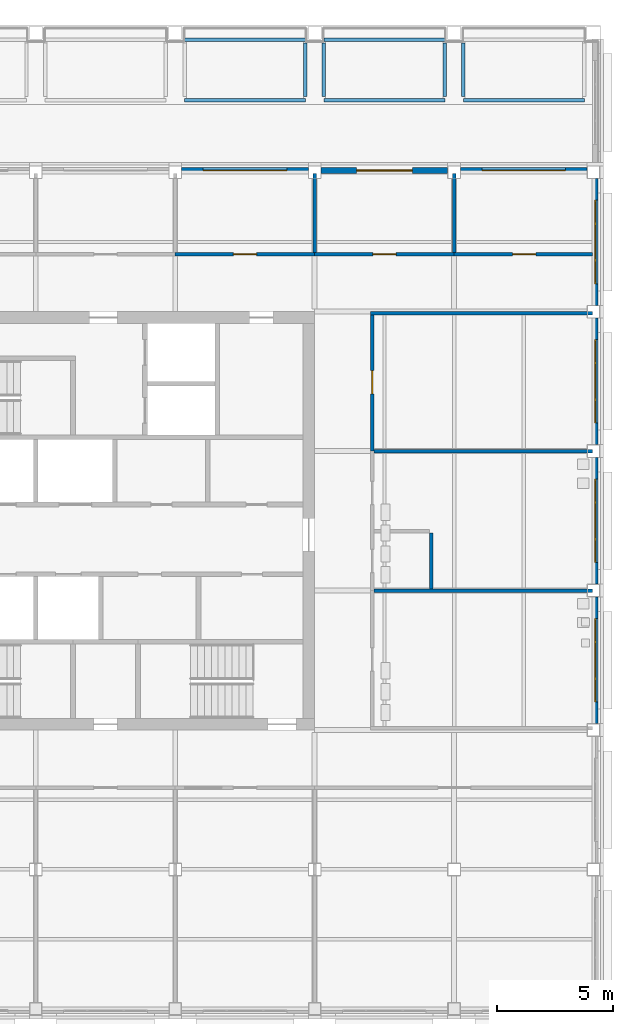
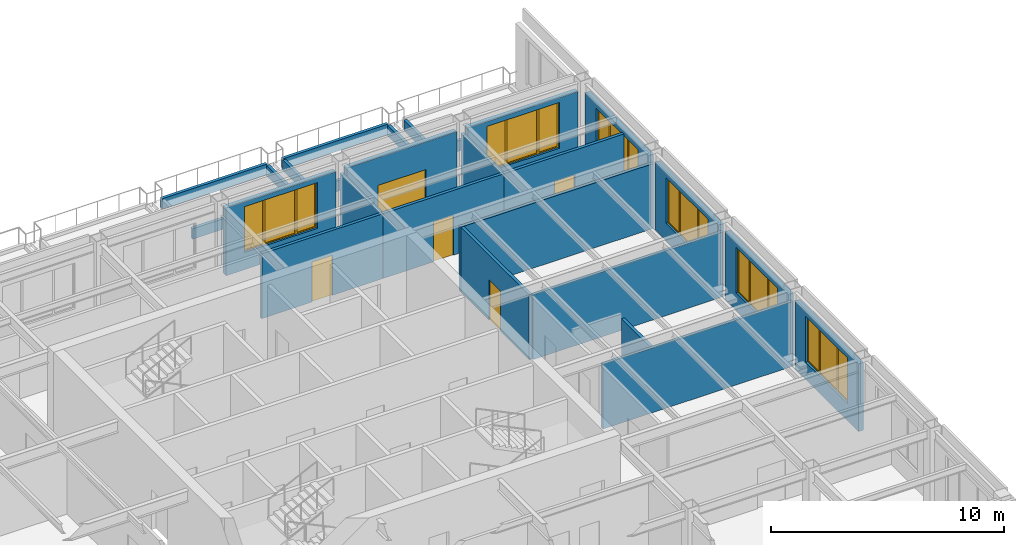
# One storey, part 27 of 39: 26 walls, 6 windows, 5 doors, 11 openings.
"""IFC4 building model written with IfcOpenShell, lengths in metres."""

from ifc_helpers import new_model, si_unit, direction, frame, frame_2d, origin, place, context, subcontext, project, spatial, polyline, rectangle, outline, extrude, material, layer, layer_set, type_object, element, fill, save


model = new_model("IFC4")

# Units and contexts
model_context = context("Model", 3, precision=1e-05, world=origin(), true_north=direction((0.0, 1.0)))
body_context = subcontext(model_context, "Body", "Model", "MODEL_VIEW")
ifc_project = project(units=[si_unit("LENGTHUNIT", "METRE"), si_unit("AREAUNIT", "SQUARE_METRE"), si_unit("VOLUMEUNIT", "CUBIC_METRE"), si_unit("PLANEANGLEUNIT", "RADIAN"), si_unit("MASSUNIT", "GRAM", prefix="KILO")], contexts=[model_context])

# Site, building, storey
site_placement = place(None, origin())
site = spatial("IfcSite", under=ifc_project, at=site_placement, CompositionType="ELEMENT")
building_placement = place(site_placement, origin())
building = spatial("IfcBuilding", under=site, at=building_placement, Name="Aravalli Gate Trade Fair Centre", CompositionType="ELEMENT")
storey_placement = place(building_placement, frame((0.0, 0.0, 15.0)))
storey = spatial("IfcBuildingStorey", under=building, at=storey_placement, Name="L03", CompositionType="ELEMENT", Elevation=15.0)

# Wall, opening, door
ifc_material_1 = material(Name="Blockwork with fire-rated lining", Category="masonry")
ifc_layer_1 = layer(ifc_material_1, 0.14990234375)
ifc_layer_set_1 = layer_set([ifc_layer_1], Name="Blockwork with fire-rated lining")
wall_type_1 = type_object("IfcWallType", Name="Wing partition 150 (EI 60, corridor wall)", PredefinedType="PARTITIONING", material=ifc_layer_set_1)
wall_1_placement = place(storey_placement, frame((184.0, 123.47509765625, 0.0), z_axis=(0.0, 0.0, 1.0), x_axis=(1.0, 0.0, 0.0)))
wall_1 = element("IfcWall", 1, at=wall_1_placement, inside=storey, type_object=wall_type_1, Name="Partition NW5 L03", PredefinedType="PARTITIONING", context=body_context, shape_type="SweptSolid", body=[
    extrude(rectangle(XDim=6.0, YDim=0.14990234375, at=frame_2d((3.0, 0.0))), origin(), (0.0, 0.0, 1.0), 3.39990234375),
])
opening_1_placement = place(wall_1_placement, frame((2.5, 0.0, 0.0)))
opening_1 = element("IfcOpeningElement", 2, at=opening_1_placement, cuts=wall_1, Name="Opening T-L03-150", PredefinedType="OPENING", context=body_context, shape_type="SweptSolid", body=[
    extrude(rectangle(XDim=1.0, YDim=2.10009765625, at=frame_2d((0.5, 1.050048828125))), frame((0.0, 0.0849609375, 0.0), z_axis=(0.0, -1.0, 0.0), x_axis=(1.0, 0.0, 0.0)), (0.0, 0.0, 1.0), 0.169921875),
])
ifc_material_2 = material(Name="Steel, fire rated", Category="steel")
door_type_1 = type_object("IfcDoorType", Name="Wing fire door FD60 1000 x 2100", OperationType="SINGLE_SWING_LEFT", PredefinedType="DOOR", material=ifc_material_2)
door_1_placement = place(opening_1_placement, origin())
door_1 = element("IfcDoor", 3, at=door_1_placement, inside=storey, type_object=door_type_1, Name="Door T-L03-150", OperationType="SINGLE_SWING_RIGHT", OverallHeight=2.10009765625, OverallWidth=1.0, PredefinedType="DOOR", context=body_context, shape_type="SweptSolid", body=[
    extrude(rectangle(XDim=1.0, YDim=2.10009765625, at=frame_2d((0.5, 1.050048828125))), frame((0.0, 0.02490234375, 0.0), z_axis=(0.0, -1.0, 0.0), x_axis=(1.0, 0.0, 0.0)), (0.0, 0.0, 1.0), 0.050048828125),
])
fill(opening_1, door_1)

# Wall
wall_2_placement = place(storey_placement, frame((190.0, 123.550048828125, 0.0), z_axis=(0.0, 0.0, 1.0), x_axis=(0.0, 1.0, 0.0)))
element("IfcWall", 4, at=wall_2_placement, inside=storey, type_object=wall_type_1, Name="Partition NP5 L03", PredefinedType="PARTITIONING", context=body_context, shape_type="SweptSolid", body=[
    extrude(rectangle(XDim=3.39990234375, YDim=0.14990234375, at=frame_2d((1.699951171875, 0.0))), origin(), (0.0, 0.0, 1.0), 3.39990234375),
])

# Wall, opening, door
wall_3_placement = place(storey_placement, frame((190.0, 123.47509765625, 0.0), z_axis=(0.0, 0.0, 1.0), x_axis=(1.0, 0.0, 0.0)))
wall_3 = element("IfcWall", 5, at=wall_3_placement, inside=storey, type_object=wall_type_1, Name="Partition NW6 L03", PredefinedType="PARTITIONING", context=body_context, shape_type="SweptSolid", body=[
    extrude(rectangle(XDim=6.0, YDim=0.14990234375, at=frame_2d((3.0, 0.0))), origin(), (0.0, 0.0, 1.0), 3.39990234375),
])
opening_2_placement = place(wall_3_placement, frame((2.5, 0.0, 0.0)))
opening_2 = element("IfcOpeningElement", 6, at=opening_2_placement, cuts=wall_3, Name="Opening T-L03-151", PredefinedType="OPENING", context=body_context, shape_type="SweptSolid", body=[
    extrude(rectangle(XDim=1.0, YDim=2.10009765625, at=frame_2d((0.5, 1.050048828125))), frame((0.0, 0.0849609375, 0.0), z_axis=(0.0, -1.0, 0.0), x_axis=(1.0, 0.0, 0.0)), (0.0, 0.0, 1.0), 0.169921875),
])
door_2_placement = place(opening_2_placement, origin())
door_2 = element("IfcDoor", 7, at=door_2_placement, inside=storey, type_object=door_type_1, Name="Door T-L03-151", OperationType="SINGLE_SWING_LEFT", OverallHeight=2.10009765625, OverallWidth=1.0, PredefinedType="DOOR", context=body_context, shape_type="SweptSolid", body=[
    extrude(rectangle(XDim=1.0, YDim=2.10009765625, at=frame_2d((0.5, 1.050048828125))), frame((0.0, 0.02490234375, 0.0), z_axis=(0.0, -1.0, 0.0), x_axis=(1.0, 0.0, 0.0)), (0.0, 0.0, 1.0), 0.050048828125),
])
fill(opening_2, door_2)

# Wall
wall_4_placement = place(storey_placement, frame((196.0, 123.550048828125, 0.0), z_axis=(0.0, 0.0, 1.0), x_axis=(0.0, 1.0, 0.0)))
element("IfcWall", 8, at=wall_4_placement, inside=storey, type_object=wall_type_1, Name="Partition NP6 L03", PredefinedType="PARTITIONING", context=body_context, shape_type="SweptSolid", body=[
    extrude(rectangle(XDim=3.39990234375, YDim=0.14990234375, at=frame_2d((1.699951171875, 0.0))), origin(), (0.0, 0.0, 1.0), 3.39990234375),
])

# Wall, opening, door
wall_5_placement = place(storey_placement, frame((196.0, 123.47509765625, 0.0), z_axis=(0.0, 0.0, 1.0), x_axis=(1.0, 0.0, 0.0)))
wall_5 = element("IfcWall", 9, at=wall_5_placement, inside=storey, type_object=wall_type_1, Name="Partition NW7 L03", PredefinedType="PARTITIONING", context=body_context, shape_type="SweptSolid", body=[
    extrude(rectangle(XDim=5.949951171875, YDim=0.14990234375, at=frame_2d((2.97509765625, 0.0))), origin(), (0.0, 0.0, 1.0), 3.39990234375),
])
opening_3_placement = place(wall_5_placement, frame((2.512451171875, 0.0, 0.0)))
opening_3 = element("IfcOpeningElement", 10, at=opening_3_placement, cuts=wall_5, Name="Opening T-L03-152", PredefinedType="OPENING", context=body_context, shape_type="SweptSolid", body=[
    extrude(rectangle(XDim=1.0, YDim=2.10009765625, at=frame_2d((0.5, 1.050048828125))), frame((0.0, 0.0849609375, 0.0), z_axis=(0.0, -1.0, 0.0), x_axis=(1.0, 0.0, 0.0)), (0.0, 0.0, 1.0), 0.169921875),
])
door_3_placement = place(opening_3_placement, origin())
door_3 = element("IfcDoor", 11, at=door_3_placement, inside=storey, type_object=door_type_1, Name="Door T-L03-152", OperationType="SINGLE_SWING_RIGHT", OverallHeight=2.10009765625, OverallWidth=1.0, PredefinedType="DOOR", context=body_context, shape_type="SweptSolid", body=[
    extrude(rectangle(XDim=1.0, YDim=2.10009765625, at=frame_2d((0.5, 1.050048828125))), frame((0.0, 0.02490234375, 0.0), z_axis=(0.0, -1.0, 0.0), x_axis=(1.0, 0.0, 0.0)), (0.0, 0.0, 1.0), 0.050048828125),
])
fill(opening_3, door_3)

# Walls
for number, where, z_axis, x_axis, name in (
    (12, (192.550048828125, 109.0, 0.0), (0.0, 0.0, 1.0), (1.0, 0.0, 0.0), "Partition EP1 L03"),
    (13, (192.550048828125, 115.0, 0.0), (0.0, 0.0, 1.0), (1.0, 0.0, 0.0), "Partition EP2 L03"),
):
    element("IfcWall", number, at=place(storey_placement, frame(where, z_axis=z_axis, x_axis=x_axis)), inside=storey, type_object=wall_type_1, Name=name, PredefinedType="PARTITIONING", context=body_context, shape_type="SweptSolid", body=[
        extrude(rectangle(XDim=9.39990234375, YDim=0.14990234375, at=frame_2d((4.699951171875, 0.0))), origin(), (0.0, 0.0, 1.0), 3.39990234375),
    ])
wall_6_placement = place(storey_placement, frame((195.02490234375, 109.074951171875, 0.0), z_axis=(0.0, 0.0, 1.0), x_axis=(0.0, 1.0, 0.0)))
element("IfcWall", 14, at=wall_6_placement, inside=storey, type_object=wall_type_1, Name="Partition EA2x L03", PredefinedType="PARTITIONING", context=body_context, shape_type="SweptSolid", body=[
    extrude(rectangle(XDim=2.400146484375, YDim=0.14990234375, at=frame_2d((1.2001953125, 0.0))), origin(), (0.0, 0.0, 1.0), 3.39990234375),
])

# Wall, opening, door
wall_7_placement = place(storey_placement, frame((192.47509765625, 115.0, 0.0), z_axis=(0.0, 0.0, 1.0), x_axis=(0.0, 1.0, 0.0)))
wall_7 = element("IfcWall", 15, at=wall_7_placement, inside=storey, type_object=wall_type_1, Name="Partition EW3 L03", PredefinedType="PARTITIONING", context=body_context, shape_type="SweptSolid", body=[
    extrude(rectangle(XDim=5.85009765625, YDim=0.14990234375, at=frame_2d((2.925048828125, 0.0))), origin(), (0.0, 0.0, 1.0), 3.39990234375),
])
opening_4_placement = place(wall_7_placement, frame((2.46240234375, 0.0, 0.0)))
opening_4 = element("IfcOpeningElement", 16, at=opening_4_placement, cuts=wall_7, Name="Opening T-L03-158", PredefinedType="OPENING", context=body_context, shape_type="SweptSolid", body=[
    extrude(rectangle(XDim=1.0, YDim=2.10009765625, at=frame_2d((0.5, 1.050048828125))), frame((0.0, 0.0849609375, 0.0), z_axis=(0.0, -1.0, 0.0), x_axis=(1.0, 0.0, 0.0)), (0.0, 0.0, 1.0), 0.169921875),
])
door_4_placement = place(opening_4_placement, frame((1.0, 0.0, 0.0), z_axis=(0.0, 0.0, 1.0), x_axis=(-1.0, 0.0, 0.0)))
door_4 = element("IfcDoor", 17, at=door_4_placement, inside=storey, type_object=door_type_1, Name="Door T-L03-158", OperationType="SINGLE_SWING_LEFT", OverallHeight=2.10009765625, OverallWidth=1.0, PredefinedType="DOOR", context=body_context, shape_type="SweptSolid", body=[
    extrude(rectangle(XDim=1.0, YDim=2.10009765625, at=frame_2d((0.5, 1.050048828125))), frame((0.0, 0.02490234375, 0.0), z_axis=(0.0, -1.0, 0.0), x_axis=(1.0, 0.0, 0.0)), (0.0, 0.0, 1.0), 0.050048828125),
])
fill(opening_4, door_4)

# Walls
wall_8_placement = place(storey_placement, frame((192.39990234375, 120.925048828125, 0.0), z_axis=(0.0, 0.0, 1.0), x_axis=(1.0, 0.0, 0.0)))
element("IfcWall", 18, at=wall_8_placement, inside=storey, type_object=wall_type_1, Name="Partition CL-NE L03", PredefinedType="PARTITIONING", context=body_context, shape_type="SweptSolid", body=[
    extrude(rectangle(XDim=9.550048828125, YDim=0.14990234375, at=frame_2d((4.77490234375, 0.0))), origin(), (0.0, 0.0, 1.0), 3.39990234375),
])
ifc_material_3 = material(Name="Concrete M30", Category="concrete")
ifc_layer_2 = layer(ifc_material_3, 0.14990234375)
ifc_layer_set_2 = layer_set([ifc_layer_2], Name="Concrete M30")
wall_type_2 = type_object("IfcWallType", Name="Wing planter wall 150", PredefinedType="SOLIDWALL", material=ifc_layer_set_2)
for number, where, z_axis, x_axis, name in (
    (19, (184.39990234375, 130.10498046875, 0.0), (0.0, 0.0, 1.0), (1.0, 0.0, 0.0), "Planter wall L03 5S"),
    (20, (184.39990234375, 132.705078125, 0.0), (0.0, 0.0, 1.0), (1.0, 0.0, 0.0), "Planter wall L03 5N"),
):
    element("IfcWall", number, at=place(storey_placement, frame(where, z_axis=z_axis, x_axis=x_axis)), inside=storey, type_object=wall_type_2, Name=name, PredefinedType="SOLIDWALL", context=body_context, shape_type="SweptSolid", body=[
        extrude(rectangle(XDim=5.2001953125, YDim=0.14990234375, at=frame_2d((2.60009765625, 0.0))), origin(), (0.0, 0.0, 1.0), 0.550048828125),
    ])
wall_9_placement = place(storey_placement, frame((189.60009765625, 130.2548828125, 0.0), z_axis=(0.0, 0.0, 1.0), x_axis=(0.0, 1.0, 0.0)))
element("IfcWall", 21, at=wall_9_placement, inside=storey, type_object=wall_type_2, Name="Planter wall L03 5E", PredefinedType="SOLIDWALL", context=body_context, shape_type="SweptSolid", body=[
    extrude(rectangle(XDim=2.300048828125, YDim=0.14990234375, at=frame_2d((1.14990234375, 0.0))), origin(), (0.0, 0.0, 1.0), 0.550048828125),
])
for number, where, z_axis, x_axis, name in (
    (22, (190.39990234375, 130.10498046875, 0.0), (0.0, 0.0, 1.0), (1.0, 0.0, 0.0), "Planter wall L03 6S"),
    (23, (190.39990234375, 132.705078125, 0.0), (0.0, 0.0, 1.0), (1.0, 0.0, 0.0), "Planter wall L03 6N"),
):
    element("IfcWall", number, at=place(storey_placement, frame(where, z_axis=z_axis, x_axis=x_axis)), inside=storey, type_object=wall_type_2, Name=name, PredefinedType="SOLIDWALL", context=body_context, shape_type="SweptSolid", body=[
        extrude(rectangle(XDim=5.2001953125, YDim=0.14990234375, at=frame_2d((2.60009765625, 0.0))), origin(), (0.0, 0.0, 1.0), 0.550048828125),
    ])
for number, where, z_axis, x_axis, name in (
    (24, (190.39990234375, 130.2548828125, 0.0), (0.0, 0.0, 1.0), (0.0, 1.0, 0.0), "Planter wall L03 6W"),
    (25, (195.60009765625, 130.2548828125, 0.0), (0.0, 0.0, 1.0), (0.0, 1.0, 0.0), "Planter wall L03 6E"),
):
    element("IfcWall", number, at=place(storey_placement, frame(where, z_axis=z_axis, x_axis=x_axis)), inside=storey, type_object=wall_type_2, Name=name, PredefinedType="SOLIDWALL", context=body_context, shape_type="SweptSolid", body=[
        extrude(rectangle(XDim=2.300048828125, YDim=0.14990234375, at=frame_2d((1.14990234375, 0.0))), origin(), (0.0, 0.0, 1.0), 0.550048828125),
    ])
wall_10_placement = place(storey_placement, frame((196.39990234375, 130.10498046875, 0.0), z_axis=(0.0, 0.0, 1.0), x_axis=(1.0, 0.0, 0.0)))
element("IfcWall", 26, at=wall_10_placement, inside=storey, type_object=wall_type_2, Name="Planter wall L03 7S", PredefinedType="SOLIDWALL", context=body_context, shape_type="SweptSolid", body=[
    extrude(rectangle(XDim=5.2001953125, YDim=0.14990234375, at=frame_2d((2.60009765625, 0.0))), origin(), (0.0, 0.0, 1.0), 0.550048828125),
])
wall_11_placement = place(storey_placement, frame((196.39990234375, 130.2548828125, 0.0), z_axis=(0.0, 0.0, 1.0), x_axis=(0.0, 1.0, 0.0)))
element("IfcWall", 27, at=wall_11_placement, inside=storey, type_object=wall_type_2, Name="Planter wall L03 7W", PredefinedType="SOLIDWALL", context=body_context, shape_type="SweptSolid", body=[
    extrude(rectangle(XDim=2.300048828125, YDim=0.14990234375, at=frame_2d((1.14990234375, 0.0))), origin(), (0.0, 0.0, 1.0), 0.550048828125),
])

# Wall, opening, window
ifc_material_4 = material(Name="Concrete block masonry", Category="masonry")
ifc_layer_3 = layer(ifc_material_4, 0.2099609375, Name="Block masonry")
ifc_material_5 = material(Name="Terracotta cladding", Category="masonry")
ifc_layer_4 = layer(ifc_material_5, 0.0400390625, Name="Terracotta cladding")
ifc_layer_set_3 = layer_set([ifc_layer_3, ifc_layer_4], Name="Wing terracotta clad infill wall 250")
wall_type_3 = type_object("IfcWallType", Name="Wing terracotta clad infill wall 250", PredefinedType="SOLIDWALL", material=ifc_layer_set_3)
wall_12_placement = place(storey_placement, frame((184.27490234375, 127.074951171875, 0.0), z_axis=(0.0, 0.0, 1.0), x_axis=(1.0, 0.0, 0.0)))
wall_12 = element("IfcWall", 28, at=wall_12_placement, inside=storey, type_object=wall_type_3, Name="Facade wall N4 L03", PredefinedType="SOLIDWALL", context=body_context, shape_type="SweptSolid", body=[
    extrude(rectangle(XDim=5.4501953125, YDim=0.25, at=frame_2d((2.72509765625, 0.0))), origin(), (0.0, 0.0, 1.0), 3.550048828125),
])
opening_5_placement = place(wall_12_placement, frame((0.925048828125, 0.0, 0.89990234375)))
opening_5 = element("IfcOpeningElement", 29, at=opening_5_placement, cuts=wall_12, Name="Opening TWN1", PredefinedType="OPENING", context=body_context, shape_type="SweptSolid", body=[
    extrude(rectangle(XDim=3.60009765625, YDim=2.39990234375, at=frame_2d((1.800048828125, 1.199951171875))), frame((0.0, 0.135009765625, 0.0), z_axis=(0.0, -1.0, 0.0), x_axis=(1.0, 0.0, 0.0)), (0.0, 0.0, 1.0), 0.27001953125),
])
ifc_material_6 = material(Name="Aluminium and glass", Category="aluminium")
window_type = type_object("IfcWindowType", Name="Wing chicago window 3600 x 2400", PartitioningType="TRIPLE_PANEL_VERTICAL", PredefinedType="WINDOW", material=ifc_material_6)
window_1_placement = place(opening_5_placement, origin())
window_1 = element("IfcWindow", 30, at=window_1_placement, inside=storey, type_object=window_type, Name="Window N4 L03", OverallHeight=2.39990234375, OverallWidth=3.60009765625, PartitioningType="TRIPLE_PANEL_VERTICAL", PredefinedType="WINDOW", context=body_context, shape_type="SweptSolid", body=[
    extrude(outline(polyline([(0.0, 0.0), (3.60009765625, 0.0), (3.60009765625, 2.39990234375), (0.0, 2.39990234375), (0.0, 0.0)]), holes=[polyline([(0.06005859375, 0.06005859375), (0.9599609375, 0.06005859375), (0.9599609375, 2.33984375), (0.06005859375, 2.33984375), (0.06005859375, 0.06005859375)]), polyline([(1.06005859375, 0.06005859375), (2.539794921875, 0.06005859375), (2.539794921875, 2.33984375), (1.06005859375, 2.33984375), (1.06005859375, 0.06005859375)]), polyline([(2.639892578125, 0.06005859375), (3.539794921875, 0.06005859375), (3.539794921875, 2.33984375), (2.639892578125, 2.33984375), (2.639892578125, 0.06005859375)])]), frame((0.0, 0.030029296875, 0.0), z_axis=(0.0, -1.0, 0.0), x_axis=(1.0, 0.0, 0.0)), (0.0, 0.0, 1.0), 0.06005859375),
    extrude(rectangle(XDim=0.923828125, YDim=2.3037109375, at=frame_2d((0.510009765625, 1.199951171875))), frame((0.0, 0.010009765625, 0.0), z_axis=(0.0, -1.0, 0.0), x_axis=(1.0, 0.0, 0.0)), (0.0, 0.0, 1.0), 0.02001953125),
    extrude(rectangle(XDim=1.503662109375, YDim=2.3037109375, at=frame_2d((1.7998046875, 1.199951171875))), frame((0.0, 0.010009765625, 0.0), z_axis=(0.0, -1.0, 0.0), x_axis=(1.0, 0.0, 0.0)), (0.0, 0.0, 1.0), 0.02001953125),
    extrude(rectangle(XDim=0.923828125, YDim=2.3037109375, at=frame_2d((3.08984375, 1.199951171875))), frame((0.0, 0.010009765625, 0.0), z_axis=(0.0, -1.0, 0.0), x_axis=(1.0, 0.0, 0.0)), (0.0, 0.0, 1.0), 0.02001953125),
])
fill(opening_5, window_1)

wall_13_placement = place(storey_placement, frame((196.27490234375, 127.074951171875, 0.0), z_axis=(0.0, 0.0, 1.0), x_axis=(1.0, 0.0, 0.0)))
wall_13 = element("IfcWall", 31, at=wall_13_placement, inside=storey, type_object=wall_type_3, Name="Facade wall N6 L03", PredefinedType="SOLIDWALL", context=body_context, shape_type="SweptSolid", body=[
    extrude(rectangle(XDim=5.4501953125, YDim=0.25, at=frame_2d((2.72509765625, 0.0))), origin(), (0.0, 0.0, 1.0), 3.550048828125),
])
opening_6_placement = place(wall_13_placement, frame((0.925048828125, 0.0, 0.89990234375)))
opening_6 = element("IfcOpeningElement", 32, at=opening_6_placement, cuts=wall_13, Name="Opening TWN1", PredefinedType="OPENING", context=body_context, shape_type="SweptSolid", body=[
    extrude(rectangle(XDim=3.60009765625, YDim=2.39990234375, at=frame_2d((1.800048828125, 1.199951171875))), frame((0.0, 0.135009765625, 0.0), z_axis=(0.0, -1.0, 0.0), x_axis=(1.0, 0.0, 0.0)), (0.0, 0.0, 1.0), 0.27001953125),
])
window_2_placement = place(opening_6_placement, origin())
window_2 = element("IfcWindow", 33, at=window_2_placement, inside=storey, type_object=window_type, Name="Window N6 L03", OverallHeight=2.39990234375, OverallWidth=3.60009765625, PartitioningType="TRIPLE_PANEL_VERTICAL", PredefinedType="WINDOW", context=body_context, shape_type="SweptSolid", body=[
    extrude(outline(polyline([(0.0, 0.0), (3.60009765625, 0.0), (3.60009765625, 2.39990234375), (0.0, 2.39990234375), (0.0, 0.0)]), holes=[polyline([(0.06005859375, 0.06005859375), (0.9599609375, 0.06005859375), (0.9599609375, 2.33984375), (0.06005859375, 2.33984375), (0.06005859375, 0.06005859375)]), polyline([(1.06005859375, 0.06005859375), (2.539794921875, 0.06005859375), (2.539794921875, 2.33984375), (1.06005859375, 2.33984375), (1.06005859375, 0.06005859375)]), polyline([(2.639892578125, 0.06005859375), (3.539794921875, 0.06005859375), (3.539794921875, 2.33984375), (2.639892578125, 2.33984375), (2.639892578125, 0.06005859375)])]), frame((0.0, 0.030029296875, 0.0), z_axis=(0.0, -1.0, 0.0), x_axis=(1.0, 0.0, 0.0)), (0.0, 0.0, 1.0), 0.06005859375),
    extrude(rectangle(XDim=0.923828125, YDim=2.3037109375, at=frame_2d((0.510009765625, 1.199951171875))), frame((0.0, 0.010009765625, 0.0), z_axis=(0.0, -1.0, 0.0), x_axis=(1.0, 0.0, 0.0)), (0.0, 0.0, 1.0), 0.02001953125),
    extrude(rectangle(XDim=1.503662109375, YDim=2.3037109375, at=frame_2d((1.7998046875, 1.199951171875))), frame((0.0, 0.010009765625, 0.0), z_axis=(0.0, -1.0, 0.0), x_axis=(1.0, 0.0, 0.0)), (0.0, 0.0, 1.0), 0.02001953125),
    extrude(rectangle(XDim=0.923828125, YDim=2.3037109375, at=frame_2d((3.08984375, 1.199951171875))), frame((0.0, 0.010009765625, 0.0), z_axis=(0.0, -1.0, 0.0), x_axis=(1.0, 0.0, 0.0)), (0.0, 0.0, 1.0), 0.02001953125),
])
fill(opening_6, window_2)

wall_14_placement = place(storey_placement, frame((202.074951171875, 103.27490234375, 0.0), z_axis=(0.0, 0.0, 1.0), x_axis=(0.0, 1.0, 0.0)))
wall_14 = element("IfcWall", 34, at=wall_14_placement, inside=storey, type_object=wall_type_3, Name="Facade wall E2 L03", PredefinedType="SOLIDWALL", context=body_context, shape_type="SweptSolid", body=[
    extrude(rectangle(XDim=5.4501953125, YDim=0.25, at=frame_2d((2.72509765625, 0.0))), origin(), (0.0, 0.0, 1.0), 3.550048828125),
])
opening_7_placement = place(wall_14_placement, frame((0.925048828125, 0.0, 0.89990234375)))
opening_7 = element("IfcOpeningElement", 35, at=opening_7_placement, cuts=wall_14, Name="Opening TWN1", PredefinedType="OPENING", context=body_context, shape_type="SweptSolid", body=[
    extrude(rectangle(XDim=3.60009765625, YDim=2.39990234375, at=frame_2d((1.800048828125, 1.199951171875))), frame((0.0, 0.135009765625, 0.0), z_axis=(0.0, -1.0, 0.0), x_axis=(1.0, 0.0, 0.0)), (0.0, 0.0, 1.0), 0.27001953125),
])
window_3_placement = place(opening_7_placement, origin())
window_3 = element("IfcWindow", 36, at=window_3_placement, inside=storey, type_object=window_type, Name="Window E2 L03", OverallHeight=2.39990234375, OverallWidth=3.60009765625, PartitioningType="TRIPLE_PANEL_VERTICAL", PredefinedType="WINDOW", context=body_context, shape_type="SweptSolid", body=[
    extrude(outline(polyline([(0.0, 0.0), (3.60009765625, 0.0), (3.60009765625, 2.39990234375), (0.0, 2.39990234375), (0.0, 0.0)]), holes=[polyline([(0.06005859375, 0.06005859375), (0.9599609375, 0.06005859375), (0.9599609375, 2.33984375), (0.06005859375, 2.33984375), (0.06005859375, 0.06005859375)]), polyline([(1.06005859375, 0.06005859375), (2.539794921875, 0.06005859375), (2.539794921875, 2.33984375), (1.06005859375, 2.33984375), (1.06005859375, 0.06005859375)]), polyline([(2.639892578125, 0.06005859375), (3.539794921875, 0.06005859375), (3.539794921875, 2.33984375), (2.639892578125, 2.33984375), (2.639892578125, 0.06005859375)])]), frame((0.0, 0.030029296875, 0.0), z_axis=(0.0, -1.0, 0.0), x_axis=(1.0, 0.0, 0.0)), (0.0, 0.0, 1.0), 0.06005859375),
    extrude(rectangle(XDim=0.923828125, YDim=2.3037109375, at=frame_2d((0.510009765625, 1.199951171875))), frame((0.0, 0.010009765625, 0.0), z_axis=(0.0, -1.0, 0.0), x_axis=(1.0, 0.0, 0.0)), (0.0, 0.0, 1.0), 0.02001953125),
    extrude(rectangle(XDim=1.503662109375, YDim=2.3037109375, at=frame_2d((1.7998046875, 1.199951171875))), frame((0.0, 0.010009765625, 0.0), z_axis=(0.0, -1.0, 0.0), x_axis=(1.0, 0.0, 0.0)), (0.0, 0.0, 1.0), 0.02001953125),
    extrude(rectangle(XDim=0.923828125, YDim=2.3037109375, at=frame_2d((3.08984375, 1.199951171875))), frame((0.0, 0.010009765625, 0.0), z_axis=(0.0, -1.0, 0.0), x_axis=(1.0, 0.0, 0.0)), (0.0, 0.0, 1.0), 0.02001953125),
])
fill(opening_7, window_3)

wall_15_placement = place(storey_placement, frame((202.074951171875, 109.27490234375, 0.0), z_axis=(0.0, 0.0, 1.0), x_axis=(0.0, 1.0, 0.0)))
wall_15 = element("IfcWall", 37, at=wall_15_placement, inside=storey, type_object=wall_type_3, Name="Facade wall E3 L03", PredefinedType="SOLIDWALL", context=body_context, shape_type="SweptSolid", body=[
    extrude(rectangle(XDim=5.4501953125, YDim=0.25, at=frame_2d((2.72509765625, 0.0))), origin(), (0.0, 0.0, 1.0), 3.550048828125),
])
opening_8_placement = place(wall_15_placement, frame((0.925048828125, 0.0, 0.89990234375)))
opening_8 = element("IfcOpeningElement", 38, at=opening_8_placement, cuts=wall_15, Name="Opening TWN1", PredefinedType="OPENING", context=body_context, shape_type="SweptSolid", body=[
    extrude(rectangle(XDim=3.60009765625, YDim=2.39990234375, at=frame_2d((1.800048828125, 1.199951171875))), frame((0.0, 0.135009765625, 0.0), z_axis=(0.0, -1.0, 0.0), x_axis=(1.0, 0.0, 0.0)), (0.0, 0.0, 1.0), 0.27001953125),
])
window_4_placement = place(opening_8_placement, origin())
window_4 = element("IfcWindow", 39, at=window_4_placement, inside=storey, type_object=window_type, Name="Window E3 L03", OverallHeight=2.39990234375, OverallWidth=3.60009765625, PartitioningType="TRIPLE_PANEL_VERTICAL", PredefinedType="WINDOW", context=body_context, shape_type="SweptSolid", body=[
    extrude(outline(polyline([(0.0, 0.0), (3.60009765625, 0.0), (3.60009765625, 2.39990234375), (0.0, 2.39990234375), (0.0, 0.0)]), holes=[polyline([(0.06005859375, 0.06005859375), (0.9599609375, 0.06005859375), (0.9599609375, 2.33984375), (0.06005859375, 2.33984375), (0.06005859375, 0.06005859375)]), polyline([(1.06005859375, 0.06005859375), (2.539794921875, 0.06005859375), (2.539794921875, 2.33984375), (1.06005859375, 2.33984375), (1.06005859375, 0.06005859375)]), polyline([(2.639892578125, 0.06005859375), (3.539794921875, 0.06005859375), (3.539794921875, 2.33984375), (2.639892578125, 2.33984375), (2.639892578125, 0.06005859375)])]), frame((0.0, 0.030029296875, 0.0), z_axis=(0.0, -1.0, 0.0), x_axis=(1.0, 0.0, 0.0)), (0.0, 0.0, 1.0), 0.06005859375),
    extrude(rectangle(XDim=0.923828125, YDim=2.3037109375, at=frame_2d((0.510009765625, 1.199951171875))), frame((0.0, 0.010009765625, 0.0), z_axis=(0.0, -1.0, 0.0), x_axis=(1.0, 0.0, 0.0)), (0.0, 0.0, 1.0), 0.02001953125),
    extrude(rectangle(XDim=1.503662109375, YDim=2.3037109375, at=frame_2d((1.7998046875, 1.199951171875))), frame((0.0, 0.010009765625, 0.0), z_axis=(0.0, -1.0, 0.0), x_axis=(1.0, 0.0, 0.0)), (0.0, 0.0, 1.0), 0.02001953125),
    extrude(rectangle(XDim=0.923828125, YDim=2.3037109375, at=frame_2d((3.08984375, 1.199951171875))), frame((0.0, 0.010009765625, 0.0), z_axis=(0.0, -1.0, 0.0), x_axis=(1.0, 0.0, 0.0)), (0.0, 0.0, 1.0), 0.02001953125),
])
fill(opening_8, window_4)

wall_16_placement = place(storey_placement, frame((202.074951171875, 115.27490234375, 0.0), z_axis=(0.0, 0.0, 1.0), x_axis=(0.0, 1.0, 0.0)))
wall_16 = element("IfcWall", 40, at=wall_16_placement, inside=storey, type_object=wall_type_3, Name="Facade wall E4 L03", PredefinedType="SOLIDWALL", context=body_context, shape_type="SweptSolid", body=[
    extrude(rectangle(XDim=5.4501953125, YDim=0.25, at=frame_2d((2.72509765625, 0.0))), origin(), (0.0, 0.0, 1.0), 3.550048828125),
])
opening_9_placement = place(wall_16_placement, frame((0.925048828125, 0.0, 0.89990234375)))
opening_9 = element("IfcOpeningElement", 41, at=opening_9_placement, cuts=wall_16, Name="Opening TWN1", PredefinedType="OPENING", context=body_context, shape_type="SweptSolid", body=[
    extrude(rectangle(XDim=3.60009765625, YDim=2.39990234375, at=frame_2d((1.800048828125, 1.199951171875))), frame((0.0, 0.135009765625, 0.0), z_axis=(0.0, -1.0, 0.0), x_axis=(1.0, 0.0, 0.0)), (0.0, 0.0, 1.0), 0.27001953125),
])
window_5_placement = place(opening_9_placement, origin())
window_5 = element("IfcWindow", 42, at=window_5_placement, inside=storey, type_object=window_type, Name="Window E4 L03", OverallHeight=2.39990234375, OverallWidth=3.60009765625, PartitioningType="TRIPLE_PANEL_VERTICAL", PredefinedType="WINDOW", context=body_context, shape_type="SweptSolid", body=[
    extrude(outline(polyline([(0.0, 0.0), (3.60009765625, 0.0), (3.60009765625, 2.39990234375), (0.0, 2.39990234375), (0.0, 0.0)]), holes=[polyline([(0.06005859375, 0.06005859375), (0.9599609375, 0.06005859375), (0.9599609375, 2.33984375), (0.06005859375, 2.33984375), (0.06005859375, 0.06005859375)]), polyline([(1.06005859375, 0.06005859375), (2.539794921875, 0.06005859375), (2.539794921875, 2.33984375), (1.06005859375, 2.33984375), (1.06005859375, 0.06005859375)]), polyline([(2.639892578125, 0.06005859375), (3.539794921875, 0.06005859375), (3.539794921875, 2.33984375), (2.639892578125, 2.33984375), (2.639892578125, 0.06005859375)])]), frame((0.0, 0.030029296875, 0.0), z_axis=(0.0, -1.0, 0.0), x_axis=(1.0, 0.0, 0.0)), (0.0, 0.0, 1.0), 0.06005859375),
    extrude(rectangle(XDim=0.923828125, YDim=2.3037109375, at=frame_2d((0.510009765625, 1.199951171875))), frame((0.0, 0.010009765625, 0.0), z_axis=(0.0, -1.0, 0.0), x_axis=(1.0, 0.0, 0.0)), (0.0, 0.0, 1.0), 0.02001953125),
    extrude(rectangle(XDim=1.503662109375, YDim=2.3037109375, at=frame_2d((1.7998046875, 1.199951171875))), frame((0.0, 0.010009765625, 0.0), z_axis=(0.0, -1.0, 0.0), x_axis=(1.0, 0.0, 0.0)), (0.0, 0.0, 1.0), 0.02001953125),
    extrude(rectangle(XDim=0.923828125, YDim=2.3037109375, at=frame_2d((3.08984375, 1.199951171875))), frame((0.0, 0.010009765625, 0.0), z_axis=(0.0, -1.0, 0.0), x_axis=(1.0, 0.0, 0.0)), (0.0, 0.0, 1.0), 0.02001953125),
])
fill(opening_9, window_5)

wall_17_placement = place(storey_placement, frame((202.074951171875, 121.27490234375, 0.0), z_axis=(0.0, 0.0, 1.0), x_axis=(0.0, 1.0, 0.0)))
wall_17 = element("IfcWall", 43, at=wall_17_placement, inside=storey, type_object=wall_type_3, Name="Facade wall E5 L03", PredefinedType="SOLIDWALL", context=body_context, shape_type="SweptSolid", body=[
    extrude(rectangle(XDim=5.4501953125, YDim=0.25, at=frame_2d((2.72509765625, 0.0))), origin(), (0.0, 0.0, 1.0), 3.550048828125),
])
opening_10_placement = place(wall_17_placement, frame((0.925048828125, 0.0, 0.89990234375)))
opening_10 = element("IfcOpeningElement", 44, at=opening_10_placement, cuts=wall_17, Name="Opening TWN1", PredefinedType="OPENING", context=body_context, shape_type="SweptSolid", body=[
    extrude(rectangle(XDim=3.60009765625, YDim=2.39990234375, at=frame_2d((1.800048828125, 1.199951171875))), frame((0.0, 0.135009765625, 0.0), z_axis=(0.0, -1.0, 0.0), x_axis=(1.0, 0.0, 0.0)), (0.0, 0.0, 1.0), 0.27001953125),
])
window_6_placement = place(opening_10_placement, origin())
window_6 = element("IfcWindow", 45, at=window_6_placement, inside=storey, type_object=window_type, Name="Window E5 L03", OverallHeight=2.39990234375, OverallWidth=3.60009765625, PartitioningType="TRIPLE_PANEL_VERTICAL", PredefinedType="WINDOW", context=body_context, shape_type="SweptSolid", body=[
    extrude(outline(polyline([(0.0, 0.0), (3.60009765625, 0.0), (3.60009765625, 2.39990234375), (0.0, 2.39990234375), (0.0, 0.0)]), holes=[polyline([(0.06005859375, 0.06005859375), (0.9599609375, 0.06005859375), (0.9599609375, 2.33984375), (0.06005859375, 2.33984375), (0.06005859375, 0.06005859375)]), polyline([(1.06005859375, 0.06005859375), (2.539794921875, 0.06005859375), (2.539794921875, 2.33984375), (1.06005859375, 2.33984375), (1.06005859375, 0.06005859375)]), polyline([(2.639892578125, 0.06005859375), (3.539794921875, 0.06005859375), (3.539794921875, 2.33984375), (2.639892578125, 2.33984375), (2.639892578125, 0.06005859375)])]), frame((0.0, 0.030029296875, 0.0), z_axis=(0.0, -1.0, 0.0), x_axis=(1.0, 0.0, 0.0)), (0.0, 0.0, 1.0), 0.06005859375),
    extrude(rectangle(XDim=0.923828125, YDim=2.3037109375, at=frame_2d((0.510009765625, 1.199951171875))), frame((0.0, 0.010009765625, 0.0), z_axis=(0.0, -1.0, 0.0), x_axis=(1.0, 0.0, 0.0)), (0.0, 0.0, 1.0), 0.02001953125),
    extrude(rectangle(XDim=1.503662109375, YDim=2.3037109375, at=frame_2d((1.7998046875, 1.199951171875))), frame((0.0, 0.010009765625, 0.0), z_axis=(0.0, -1.0, 0.0), x_axis=(1.0, 0.0, 0.0)), (0.0, 0.0, 1.0), 0.02001953125),
    extrude(rectangle(XDim=0.923828125, YDim=2.3037109375, at=frame_2d((3.08984375, 1.199951171875))), frame((0.0, 0.010009765625, 0.0), z_axis=(0.0, -1.0, 0.0), x_axis=(1.0, 0.0, 0.0)), (0.0, 0.0, 1.0), 0.02001953125),
])
fill(opening_10, window_6)

# Wall, opening, door
wall_18_placement = place(storey_placement, frame((190.27490234375, 127.074951171875, 0.0), z_axis=(0.0, 0.0, 1.0), x_axis=(1.0, 0.0, 0.0)))
wall_18 = element("IfcWall", 46, at=wall_18_placement, inside=storey, type_object=wall_type_3, Name="Facade wall N5 L03", PredefinedType="SOLIDWALL", context=body_context, shape_type="SweptSolid", body=[
    extrude(rectangle(XDim=5.4501953125, YDim=0.25, at=frame_2d((2.72509765625, 0.0))), origin(), (0.0, 0.0, 1.0), 3.550048828125),
])
opening_11_placement = place(wall_18_placement, frame((1.52490234375, 0.0, 0.0)))
opening_11 = element("IfcOpeningElement", 47, at=opening_11_placement, cuts=wall_18, Name="Opening T-L03-187", PredefinedType="OPENING", context=body_context, shape_type="SweptSolid", body=[
    extrude(rectangle(XDim=2.39990234375, YDim=2.10009765625, at=frame_2d((1.199951171875, 1.050048828125))), frame((0.0, 0.135009765625, 0.0), z_axis=(0.0, -1.0, 0.0), x_axis=(1.0, 0.0, 0.0)), (0.0, 0.0, 1.0), 0.27001953125),
])
door_type_2 = type_object("IfcDoorType", Name="Wing glazed entrance door 2400 x 2100", OperationType="DOUBLE_DOOR_SINGLE_SWING", PredefinedType="DOOR", material=ifc_material_6)
door_5_placement = place(opening_11_placement, origin())
door_5 = element("IfcDoor", 48, at=door_5_placement, inside=storey, type_object=door_type_2, Name="Terrace door T-L03-187", OperationType="DOUBLE_DOOR_SINGLE_SWING", OverallHeight=2.10009765625, OverallWidth=2.39990234375, PredefinedType="DOOR", context=body_context, shape_type="SweptSolid", body=[
    extrude(rectangle(XDim=2.39990234375, YDim=2.10009765625, at=frame_2d((1.199951171875, 1.050048828125))), frame((0.0, 0.02490234375, 0.0), z_axis=(0.0, -1.0, 0.0), x_axis=(1.0, 0.0, 0.0)), (0.0, 0.0, 1.0), 0.050048828125),
])
fill(opening_11, door_5)

save(model, "model.ifc")
